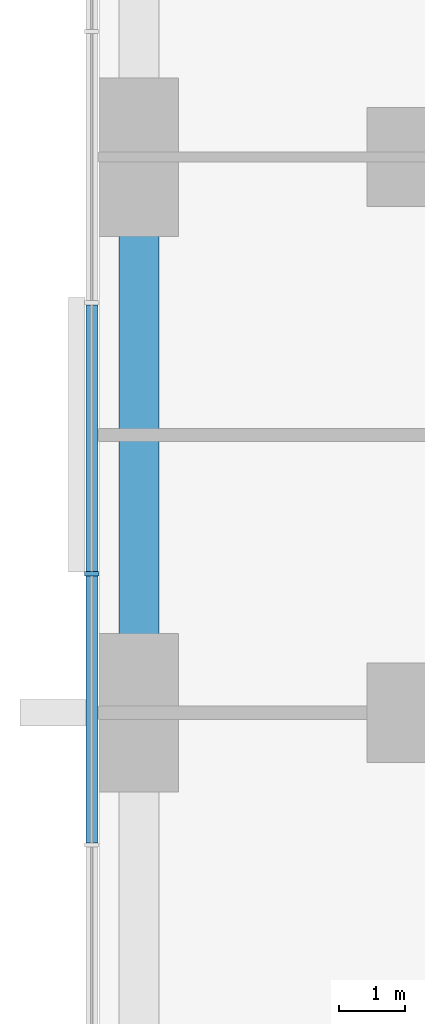
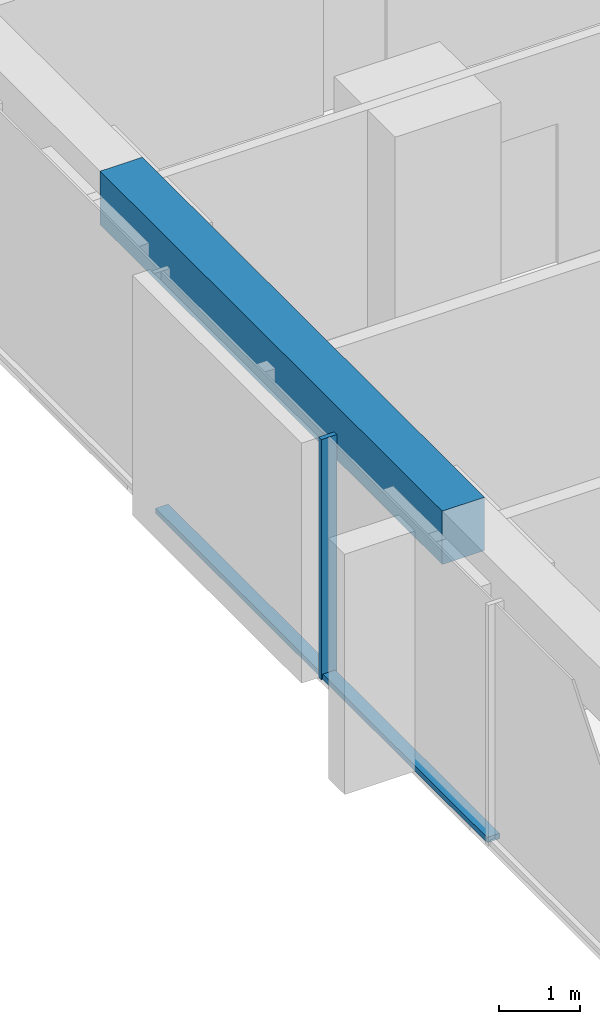
# One storey, part 3 of 14: 3 members, 1 beam, 1 element without a shape of its own.
"""IFC4 building model written with IfcOpenShell, lengths in metres."""

from ifc_helpers import new_model, si_unit, direction, frame, origin, origin_2d, place, context, subcontext, project, spatial, rectangle, extrude, material, material_profile, profile_set, type_object, element, aggregate, save


model = new_model("IFC4")

# Units and contexts
model_context = context("Model", 3, precision=1e-05, world=origin(), true_north=direction((0.0, 1.0)))
body_context = subcontext(model_context, "Body", "Model", "MODEL_VIEW")
ifc_project = project(units=[si_unit("LENGTHUNIT", "METRE"), si_unit("AREAUNIT", "SQUARE_METRE"), si_unit("VOLUMEUNIT", "CUBIC_METRE"), si_unit("PLANEANGLEUNIT", "RADIAN"), si_unit("MASSUNIT", "GRAM", prefix="KILO")], contexts=[model_context])

# Site, building, storey
site_placement = place(None, origin())
site = spatial("IfcSite", under=ifc_project, at=site_placement, CompositionType="ELEMENT")
building_placement = place(site_placement, origin())
building = spatial("IfcBuilding", under=site, at=building_placement, Name="Dunama Terrace Hotel", CompositionType="ELEMENT")
storey_placement = place(building_placement, frame((0.0, 0.0, 140.39990234375)))
storey = spatial("IfcBuildingStorey", under=building, at=storey_placement, Name="L36", CompositionType="ELEMENT", Elevation=140.39990234375)

# Curtain wall, members
ifc_material_1 = material(Name="Aluminium curtain wall system", Category="aluminium")
curtain_wall_type = type_object("IfcCurtainWallType", Name="Unitised fritted glass wall CW-B", PredefinedType="NOTDEFINED", material=ifc_material_1)
curtain_wall_placement = place(storey_placement, origin())
curtain_wall = element("IfcCurtainWall", 1, at=curtain_wall_placement, inside=storey, type_object=curtain_wall_type, Name="Unitised fritted glass wall CW-B L36", PredefinedType="NOTDEFINED")
ifc_material_2 = material(Name="Aluminium mullion", Category="aluminium")
ifc_material_profile_1 = material_profile(ifc_material_2, rectangle(XDim=0.06494140625, YDim=0.219970703125, at=origin_2d()), Name="CWB MULLION 65X220")
ifc_profile_set_1 = profile_set([ifc_material_profile_1], Name="Aluminium mullion")
member_type_1 = type_object("IfcMemberType", Name="CWB mullion 65x220", PredefinedType="MULLION", material=ifc_profile_set_1)
member_1_placement = place(storey_placement, frame((-0.110107421875, 27.300048828125, 0.0), z_axis=(0.0, 0.0, 1.0), x_axis=(0.0, -1.0, 0.0)))
member_1 = element("IfcMember", 2, at=member_1_placement, type_object=member_type_1, Name="CWB mullion", PredefinedType="MULLION", context=body_context, shape_type="SweptSolid", body=[
    extrude(rectangle(XDim=0.06494140625, YDim=0.219970703125, at=origin_2d()), origin(), (0.0, 0.0, 1.0), 3.60009765625),
])
ifc_material_3 = material(Name="Aluminium transom", Category="aluminium")
ifc_material_profile_2 = material_profile(ifc_material_3, rectangle(XDim=0.179931640625, YDim=0.080078125, at=origin_2d()), Name="CWB TRANSOM 180X80")
ifc_profile_set_2 = profile_set([ifc_material_profile_2], Name="Aluminium transom")
member_type_2 = type_object("IfcMemberType", Name="CWB transom 180x80", PredefinedType="USERDEFINED", material=ifc_profile_set_2)
member_2_placement = place(storey_placement, frame((-0.110107421875, 31.366943359375, 0.0400390625), z_axis=(0.0, -1.0, 0.0), x_axis=(1.0, 0.0, 0.0)))
member_2 = element("IfcMember", 3, at=member_2_placement, type_object=member_type_2, Name="CWB transom", ObjectType="TRANSOM", PredefinedType="USERDEFINED", context=body_context, shape_type="SweptSolid", body=[
    extrude(rectangle(XDim=0.179931640625, YDim=0.080078125, at=origin_2d()), origin(), (0.0, 0.0, 1.0), 4.034912109375),
])
member_3_placement = place(storey_placement, frame((-0.110107421875, 27.26806640625, 0.0400390625), z_axis=(0.0, -1.0, 0.0), x_axis=(1.0, 0.0, 0.0)))
member_3 = element("IfcMember", 4, at=member_3_placement, type_object=member_type_2, Name="CWB transom", ObjectType="TRANSOM", PredefinedType="USERDEFINED", context=body_context, shape_type="SweptSolid", body=[
    extrude(rectangle(XDim=0.179931640625, YDim=0.080078125, at=origin_2d()), origin(), (0.0, 0.0, 1.0), 4.03515625),
])
aggregate(curtain_wall, [member_1, member_2, member_3])

# Beam
ifc_material_4 = material(Name="Concrete C40/50", Category="concrete")
ifc_material_profile_3 = material_profile(ifc_material_4, rectangle(XDim=0.60009765625, YDim=0.800048828125, at=origin_2d()), Name="RC 600x800")
ifc_profile_set_3 = profile_set([ifc_material_profile_3], Name="Concrete C40/50")
beam_type = type_object("IfcBeamType", Name="Edge beam RC 600x800", PredefinedType="SPANDREL", material=ifc_profile_set_3)
beam_placement = place(storey_placement, frame((0.60009765625, 25.199951171875, 3.2001953125), z_axis=(0.0, 1.0, 0.0), x_axis=(-1.0, 0.0, 0.0)))
element("IfcBeam", 5, at=beam_placement, inside=storey, type_object=beam_type, Name="Edge beam under L37", PredefinedType="SPANDREL", context=body_context, shape_type="SweptSolid", body=[
    extrude(rectangle(XDim=0.60009765625, YDim=0.800048828125, at=origin_2d()), origin(), (0.0, 0.0, 1.0), 8.400146484375),
])

save(model, "model.ifc")
